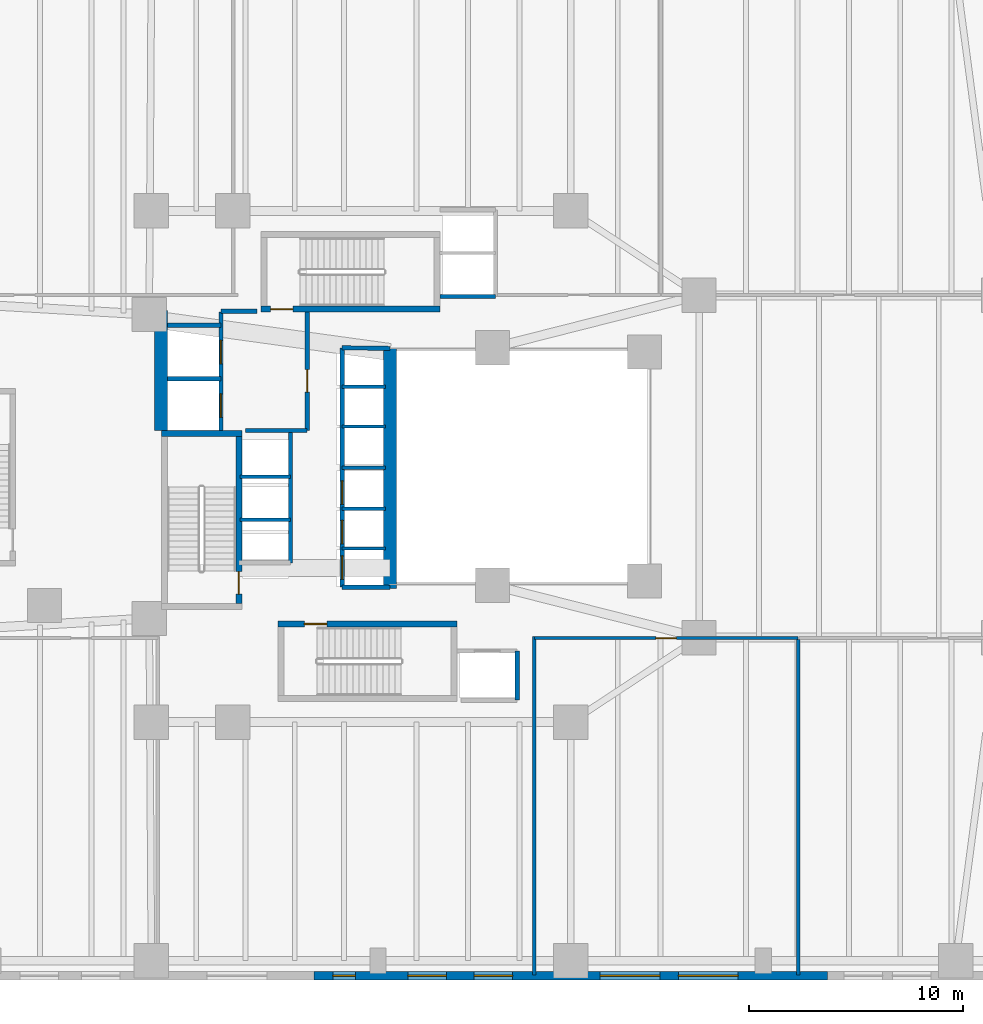
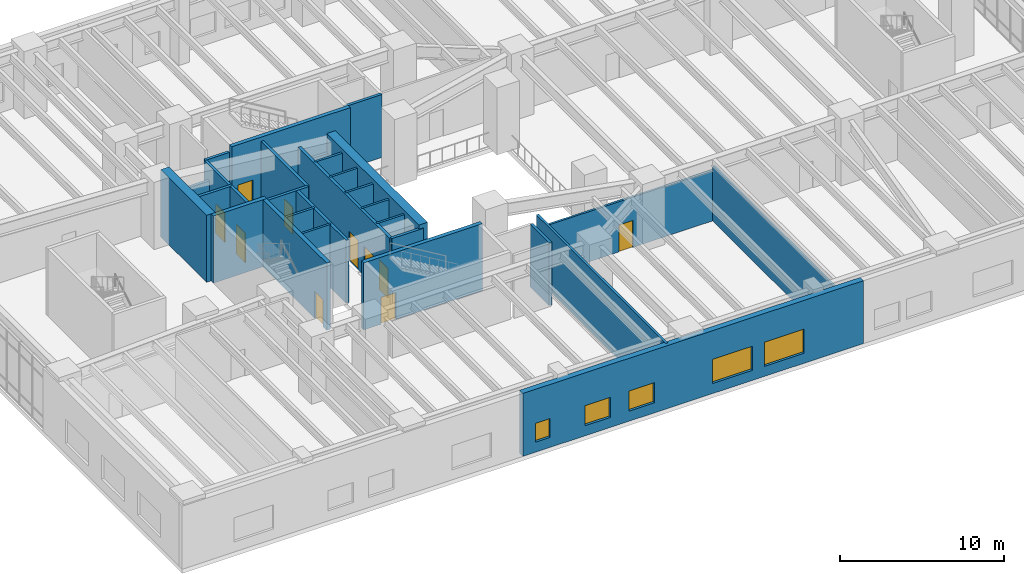
# One storey, part 13 of 18: 29 walls, 10 doors, 5 windows, 15 openings.
"""IFC4 building model written with IfcOpenShell, lengths in metres."""

from ifc_helpers import new_model, si_unit, direction, frame, frame_2d, origin, place, context, subcontext, project, spatial, rectangle, extrude, material, layer, layer_set, type_object, element, fill, save


model = new_model("IFC4")

# Units and contexts
model_context = context("Model", 3, precision=1e-05, world=origin(), true_north=direction((0.0, 1.0)))
body_context = subcontext(model_context, "Body", "Model", "MODEL_VIEW")
ifc_project = project(units=[si_unit("LENGTHUNIT", "METRE"), si_unit("AREAUNIT", "SQUARE_METRE"), si_unit("VOLUMEUNIT", "CUBIC_METRE"), si_unit("PLANEANGLEUNIT", "RADIAN"), si_unit("MASSUNIT", "GRAM", prefix="KILO"), si_unit("THERMODYNAMICTEMPERATUREUNIT", "KELVIN"), si_unit("POWERUNIT", "WATT")], contexts=[model_context])

# Site, building, storey
site_placement = place(None, origin())
site = spatial("IfcSite", under=ifc_project, at=site_placement, CompositionType="ELEMENT")
building_placement = place(site_placement, origin())
building = spatial("IfcBuilding", under=site, at=building_placement, Name="Skarre Station Tower", CompositionType="ELEMENT")
storey_placement = place(building_placement, frame((0.0, 0.0, 11.0)))
storey = spatial("IfcBuildingStorey", under=building, at=storey_placement, Name="L03", CompositionType="ELEMENT", Elevation=11.0)

# Wall, opening, door
ifc_material_1 = material(Name="Acoustic Steel-Stud Gypsum Partition", Category="steel")
ifc_layer_1 = layer(ifc_material_1, 0.14990234375, Name="Acoustic Steel-Stud Gypsum Partition")
ifc_layer_set_1 = layer_set([ifc_layer_1], Name="Acoustic Steel-Stud Gypsum Partition")
wall_type_1 = type_object("IfcWallType", Name="Fire-Rated Corridor Acoustic Partition 150", PredefinedType="PARTITIONING", material=ifc_layer_set_1)
wall_1_placement = place(storey_placement, frame((34.300048828125, 15.97998046875, 0.0), z_axis=(0.0, 0.0, 1.0), x_axis=(1.0, 0.0, 0.0)))
wall_1 = element("IfcWall", 1, at=wall_1_placement, inside=storey, type_object=wall_type_1, Name="L03 Interior Partition WL-PT-L03-PDSE1-CW", PredefinedType="PARTITIONING", context=body_context, shape_type="SweptSolid", body=[
    extrude(rectangle(XDim=12.31201171875, YDim=0.14990234375, at=frame_2d((6.156005859375, 0.0))), origin(), (0.0, 0.0, 1.0), 3.741943359375),
])
opening_1_placement = place(wall_1_placement, frame((5.676025390625, 0.0, 0.0)))
opening_1 = element("IfcOpeningElement", 2, at=opening_1_placement, cuts=wall_1, Name="Opening DR-FD60", PredefinedType="OPENING", context=body_context, shape_type="SweptSolid", body=[
    extrude(rectangle(XDim=0.9599609375, YDim=2.0, at=frame_2d((0.47998046875, 1.0))), frame((0.0, 0.0849609375, 0.0), z_axis=(0.0, -1.0, 0.0), x_axis=(1.0, 0.0, 0.0)), (0.0, 0.0, 1.0), 0.169921875),
])
ifc_material_2 = material(Name="Nordic White-Oak Veneer Solid-Core Fire Leaf", Category="wood")
door_type_1 = type_object("IfcDoorType", Name="Corridor Suite Entry Fire Door FD60 960x2150", OperationType="SINGLE_SWING_LEFT", PredefinedType="DOOR", material=ifc_material_2)
door_1_placement = place(opening_1_placement, origin())
door_1 = element("IfcDoor", 3, at=door_1_placement, inside=storey, type_object=door_type_1, Name="L03 PDSE1 Entry Door", OperationType="SINGLE_SWING_LEFT", OverallHeight=2.0, OverallWidth=0.9599609375, PredefinedType="DOOR", context=body_context, shape_type="SweptSolid", body=[
    extrude(rectangle(XDim=0.9599609375, YDim=2.0, at=frame_2d((0.47998046875, 1.0))), frame((0.0, 0.02490234375, 0.0), z_axis=(0.0, -1.0, 0.0), x_axis=(1.0, 0.0, 0.0)), (0.0, 0.0, 1.0), 0.050048828125),
])
fill(opening_1, door_1)

# Wall, openings, windows
ifc_material_3 = material(Name="Precast concrete C45/55", Category="concrete")
ifc_layer_2 = layer(ifc_material_3, 0.39990234375, Name="Precast concrete C45/55")
ifc_layer_set_2 = layer_set([ifc_layer_2], Name="Precast concrete C45/55")
wall_type_2 = type_object("IfcWallType", Name="Nordic Granite Station Podium Wall 400", PredefinedType="STANDARD", material=ifc_layer_set_2)
wall_2_placement = place(storey_placement, frame((48.0, 0.199951171875, 0.0), z_axis=(0.0, 0.0, 1.0), x_axis=(-1.0, 0.0, 0.0)))
wall_2 = element("IfcWall", 4, at=wall_2_placement, inside=storey, type_object=wall_type_2, Name="L03 South Podium Granite Wall SB", PredefinedType="STANDARD", context=body_context, shape_type="SweptSolid", body=[
    extrude(rectangle(XDim=24.0, YDim=0.39990234375, at=frame_2d((12.0, 0.0))), origin(), (0.0, 0.0, 1.0), 4.68994140625),
])
opening_2_placement = place(wall_2_placement, frame((4.169921875, 0.0, 0.75)))
opening_2 = element("IfcOpeningElement", 5, at=opening_2_placement, cuts=wall_2, Name="Opening WN-POD", PredefinedType="OPENING", context=body_context, shape_type="SweptSolid", body=[
    extrude(rectangle(XDim=2.800048828125, YDim=1.800048828125, at=frame_2d((1.39990234375, 0.89990234375))), frame((0.0, 0.2099609375, 0.0), z_axis=(0.0, -1.0, 0.0), x_axis=(1.0, 0.0, 0.0)), (0.0, 0.0, 1.0), 0.419921875),
])
opening_3_placement = place(wall_2_placement, frame((7.830078125, 0.0, 0.75)))
opening_3 = element("IfcOpeningElement", 6, at=opening_3_placement, cuts=wall_2, Name="Opening WN-POD", PredefinedType="OPENING", context=body_context, shape_type="SweptSolid", body=[
    extrude(rectangle(XDim=2.800048828125, YDim=1.800048828125, at=frame_2d((1.39990234375, 0.89990234375))), frame((0.0, 0.2099609375, 0.0), z_axis=(0.0, -1.0, 0.0), x_axis=(1.0, 0.0, 0.0)), (0.0, 0.0, 1.0), 0.419921875),
])
opening_4_placement = place(wall_2_placement, frame((14.7119140625, 0.0, 0.75)))
opening_4 = element("IfcOpeningElement", 7, at=opening_4_placement, cuts=wall_2, Name="Opening WN-Z1A", PredefinedType="OPENING", context=body_context, shape_type="SweptSolid", body=[
    extrude(rectangle(XDim=1.800048828125, YDim=1.5, at=frame_2d((0.89990234375, 0.75))), frame((0.0, 0.2099609375, 0.0), z_axis=(0.0, -1.0, 0.0), x_axis=(1.0, 0.0, 0.0)), (0.0, 0.0, 1.0), 0.419921875),
])
opening_5_placement = place(wall_2_placement, frame((17.81103515625, 0.0, 0.75)))
opening_5 = element("IfcOpeningElement", 8, at=opening_5_placement, cuts=wall_2, Name="Opening WN-Z1A", PredefinedType="OPENING", context=body_context, shape_type="SweptSolid", body=[
    extrude(rectangle(XDim=1.800048828125, YDim=1.5, at=frame_2d((0.89990234375, 0.75))), frame((0.0, 0.2099609375, 0.0), z_axis=(0.0, -1.0, 0.0), x_axis=(1.0, 0.0, 0.0)), (0.0, 0.0, 1.0), 0.419921875),
])
opening_6_placement = place(wall_2_placement, frame((22.070068359375, 0.0, 0.75)))
opening_6 = element("IfcOpeningElement", 9, at=opening_6_placement, cuts=wall_2, Name="Opening WN-SLT", PredefinedType="OPENING", context=body_context, shape_type="SweptSolid", body=[
    extrude(rectangle(XDim=1.050048828125, YDim=1.39990234375, at=frame_2d((0.52490234375, 0.699951171875))), frame((0.0, 0.2099609375, 0.0), z_axis=(0.0, -1.0, 0.0), x_axis=(1.0, 0.0, 0.0)), (0.0, 0.0, 1.0), 0.419921875),
])
ifc_material_4 = material(Name="Low-Iron Triple Glazing with Bronze Anodized Frame", Category="glass")
window_type_1 = type_object("IfcWindowType", Name="Nordic Corner Slot Window 1050x1400", PartitioningType="SINGLE_PANEL", PredefinedType="WINDOW", material=ifc_material_4)
window_1_placement = place(opening_6_placement, origin())
window_1 = element("IfcWindow", 10, at=window_1_placement, inside=storey, type_object=window_type_1, Name="L03 Facade Window WL-POD-L03-SB-5", OverallHeight=1.39990234375, OverallWidth=1.050048828125, PartitioningType="SINGLE_PANEL", PredefinedType="WINDOW", context=body_context, shape_type="SweptSolid", body=[
    extrude(rectangle(XDim=1.050048828125, YDim=1.39990234375, at=frame_2d((0.52490234375, 0.699951171875))), frame((0.0, 0.030029296875, 0.0), z_axis=(0.0, -1.0, 0.0), x_axis=(1.0, 0.0, 0.0)), (0.0, 0.0, 1.0), 0.06005859375),
])
fill(opening_6, window_1)
window_type_2 = type_object("IfcWindowType", Name="Nordic Punched Triple-Glazed Window 1800x1500", PartitioningType="SINGLE_PANEL", PredefinedType="WINDOW", material=ifc_material_4)
window_2_placement = place(opening_4_placement, origin())
window_2 = element("IfcWindow", 11, at=window_2_placement, inside=storey, type_object=window_type_2, Name="L03 Facade Window WL-POD-L03-SB-3", OverallHeight=1.5, OverallWidth=1.800048828125, PartitioningType="SINGLE_PANEL", PredefinedType="WINDOW", context=body_context, shape_type="SweptSolid", body=[
    extrude(rectangle(XDim=1.800048828125, YDim=1.5, at=frame_2d((0.89990234375, 0.75))), frame((0.0, 0.030029296875, 0.0), z_axis=(0.0, -1.0, 0.0), x_axis=(1.0, 0.0, 0.0)), (0.0, 0.0, 1.0), 0.06005859375),
])
fill(opening_4, window_2)
window_3_placement = place(opening_5_placement, origin())
window_3 = element("IfcWindow", 12, at=window_3_placement, inside=storey, type_object=window_type_2, Name="L03 Facade Window WL-POD-L03-SB-4", OverallHeight=1.5, OverallWidth=1.800048828125, PartitioningType="SINGLE_PANEL", PredefinedType="WINDOW", context=body_context, shape_type="SweptSolid", body=[
    extrude(rectangle(XDim=1.800048828125, YDim=1.5, at=frame_2d((0.89990234375, 0.75))), frame((0.0, 0.030029296875, 0.0), z_axis=(0.0, -1.0, 0.0), x_axis=(1.0, 0.0, 0.0)), (0.0, 0.0, 1.0), 0.06005859375),
])
fill(opening_5, window_3)
window_type_3 = type_object("IfcWindowType", Name="Podium Clerestory Ribbon Window 2800x1800", PartitioningType="SINGLE_PANEL", PredefinedType="WINDOW", material=ifc_material_4)
window_4_placement = place(opening_2_placement, origin())
window_4 = element("IfcWindow", 13, at=window_4_placement, inside=storey, type_object=window_type_3, Name="L03 Facade Window WL-POD-L03-SB-1", OverallHeight=1.800048828125, OverallWidth=2.800048828125, PartitioningType="SINGLE_PANEL", PredefinedType="WINDOW", context=body_context, shape_type="SweptSolid", body=[
    extrude(rectangle(XDim=2.800048828125, YDim=1.800048828125, at=frame_2d((1.39990234375, 0.89990234375))), frame((0.0, 0.030029296875, 0.0), z_axis=(0.0, -1.0, 0.0), x_axis=(1.0, 0.0, 0.0)), (0.0, 0.0, 1.0), 0.06005859375),
])
fill(opening_2, window_4)
window_5_placement = place(opening_3_placement, origin())
window_5 = element("IfcWindow", 14, at=window_5_placement, inside=storey, type_object=window_type_3, Name="L03 Facade Window WL-POD-L03-SB-2", OverallHeight=1.800048828125, OverallWidth=2.800048828125, PartitioningType="SINGLE_PANEL", PredefinedType="WINDOW", context=body_context, shape_type="SweptSolid", body=[
    extrude(rectangle(XDim=2.800048828125, YDim=1.800048828125, at=frame_2d((1.39990234375, 0.89990234375))), frame((0.0, 0.030029296875, 0.0), z_axis=(0.0, -1.0, 0.0), x_axis=(1.0, 0.0, 0.0)), (0.0, 0.0, 1.0), 0.06005859375),
])
fill(opening_3, window_5)

# Wall
ifc_material_5 = material(Name="Concrete C50/60", Category="concrete")
ifc_layer_3 = layer(ifc_material_5, 0.280029296875, Name="Concrete C50/60")
ifc_layer_set_3 = layer_set([ifc_layer_3], Name="Concrete C50/60")
wall_type_3 = type_object("IfcWallType", Name="RC Core Shear Wall 280", PredefinedType="SHEAR", material=ifc_layer_set_3)
wall_3_placement = place(storey_placement, frame((20.6298828125, 25.5400390625, 0.0), z_axis=(0.0, 0.0, 1.0), x_axis=(-1.0, 0.0, 0.0)))
element("IfcWall", 15, at=wall_3_placement, inside=storey, type_object=wall_type_3, Name="L03 Stair ST-1 North Shear Wall", PredefinedType="SHEAR", context=body_context, shape_type="SweptSolid", body=[
    extrude(rectangle(XDim=3.759765625, YDim=0.280029296875, at=frame_2d((1.8798828125, 0.0))), origin(), (0.0, 0.0, 1.0), 5.0),
])

# Wall, opening, door
wall_4_placement = place(storey_placement, frame((20.489990234375, 17.60009765625, 0.0), z_axis=(0.0, 0.0, 1.0), x_axis=(0.0, 1.0, 0.0)))
wall_4 = element("IfcWall", 16, at=wall_4_placement, inside=storey, type_object=wall_type_3, Name="L03 Stair ST-1 East Shear Wall", PredefinedType="SHEAR", context=body_context, shape_type="SweptSolid", body=[
    extrude(rectangle(XDim=7.7998046875, YDim=0.280029296875, at=frame_2d((3.89990234375, 0.0))), origin(), (0.0, 0.0, 1.0), 5.0),
])
opening_7_placement = place(wall_4_placement, frame((0.43994140625, 0.0, 0.0)))
opening_7 = element("IfcOpeningElement", 17, at=opening_7_placement, cuts=wall_4, Name="Opening DR-FD90", PredefinedType="OPENING", context=body_context, shape_type="SweptSolid", body=[
    extrude(rectangle(XDim=1.050048828125, YDim=2.0, at=frame_2d((0.52490234375, 1.0))), frame((0.0, 0.14990234375, 0.0), z_axis=(0.0, -1.0, 0.0), x_axis=(1.0, 0.0, 0.0)), (0.0, 0.0, 1.0), 0.300048828125),
])
ifc_material_6 = material(Name="Fire-Rated Insulated Steel Frame & Timber Core Leaf", Category="steel")
door_type_2 = type_object("IfcDoorType", Name="Stair & FSAE Lobby Fire Door FD90 1050x2150", OperationType="SINGLE_SWING_RIGHT", PredefinedType="DOOR", material=ifc_material_6)
door_2_placement = place(opening_7_placement, origin())
door_2 = element("IfcDoor", 18, at=door_2_placement, inside=storey, type_object=door_type_2, Name="L03 Stair ST-1 Exit Door", OperationType="SINGLE_SWING_RIGHT", OverallHeight=2.0, OverallWidth=1.050048828125, PredefinedType="DOOR", context=body_context, shape_type="SweptSolid", body=[
    extrude(rectangle(XDim=1.050048828125, YDim=2.0, at=frame_2d((0.52490234375, 1.0))), frame((0.0, 0.02490234375, 0.0), z_axis=(0.0, -1.0, 0.0), x_axis=(1.0, 0.0, 0.0)), (0.0, 0.0, 1.0), 0.050048828125),
])
fill(opening_7, door_2)

wall_5_placement = place(storey_placement, frame((30.679931640625, 16.639892578125, 0.0), z_axis=(0.0, 0.0, 1.0), x_axis=(-1.0, 0.0, 0.0)))
wall_5 = element("IfcWall", 19, at=wall_5_placement, inside=storey, type_object=wall_type_3, Name="L03 Stair ST-2 North Shear Wall", PredefinedType="SHEAR", context=body_context, shape_type="SweptSolid", body=[
    extrude(rectangle(XDim=8.35986328125, YDim=0.280029296875, at=frame_2d((4.179931640625, 0.0))), origin(), (0.0, 0.0, 1.0), 5.0),
])
opening_8_placement = place(wall_5_placement, frame((6.080078125, 0.0, 0.0)))
opening_8 = element("IfcOpeningElement", 20, at=opening_8_placement, cuts=wall_5, Name="Opening DR-FD90", PredefinedType="OPENING", context=body_context, shape_type="SweptSolid", body=[
    extrude(rectangle(XDim=1.050048828125, YDim=2.0, at=frame_2d((0.52490234375, 1.0))), frame((0.0, 0.14990234375, 0.0), z_axis=(0.0, -1.0, 0.0), x_axis=(1.0, 0.0, 0.0)), (0.0, 0.0, 1.0), 0.300048828125),
])
door_3_placement = place(opening_8_placement, origin())
door_3 = element("IfcDoor", 21, at=door_3_placement, inside=storey, type_object=door_type_2, Name="L03 Stair ST-2 Exit Door", OperationType="SINGLE_SWING_RIGHT", OverallHeight=2.0, OverallWidth=1.050048828125, PredefinedType="DOOR", context=body_context, shape_type="SweptSolid", body=[
    extrude(rectangle(XDim=1.050048828125, YDim=2.0, at=frame_2d((0.52490234375, 1.0))), frame((0.0, 0.02490234375, 0.0), z_axis=(0.0, -1.0, 0.0), x_axis=(1.0, 0.0, 0.0)), (0.0, 0.0, 1.0), 0.050048828125),
])
fill(opening_8, door_3)

wall_6_placement = place(storey_placement, frame((21.52001953125, 31.360107421875, 0.0), z_axis=(0.0, 0.0, 1.0), x_axis=(1.0, 0.0, 0.0)))
wall_6 = element("IfcWall", 22, at=wall_6_placement, inside=storey, type_object=wall_type_3, Name="L03 Stair ST-3 South Shear Wall", PredefinedType="SHEAR", context=body_context, shape_type="SweptSolid", body=[
    extrude(rectangle(XDim=8.35986328125, YDim=0.280029296875, at=frame_2d((4.179931640625, 0.0))), origin(), (0.0, 0.0, 1.0), 5.0),
])
opening_9_placement = place(wall_6_placement, frame((0.449951171875, 0.0, 0.0)))
opening_9 = element("IfcOpeningElement", 23, at=opening_9_placement, cuts=wall_6, Name="Opening DR-FD90", PredefinedType="OPENING", context=body_context, shape_type="SweptSolid", body=[
    extrude(rectangle(XDim=1.050048828125, YDim=2.0, at=frame_2d((0.52490234375, 1.0))), frame((0.0, 0.14990234375, 0.0), z_axis=(0.0, -1.0, 0.0), x_axis=(1.0, 0.0, 0.0)), (0.0, 0.0, 1.0), 0.300048828125),
])
door_4_placement = place(opening_9_placement, origin())
door_4 = element("IfcDoor", 24, at=door_4_placement, inside=storey, type_object=door_type_2, Name="L03 Stair ST-3 & FSAE Lobby Direct Exit Door", OperationType="SINGLE_SWING_LEFT", OverallHeight=2.0, OverallWidth=1.050048828125, PredefinedType="DOOR", context=body_context, shape_type="SweptSolid", body=[
    extrude(rectangle(XDim=1.050048828125, YDim=2.0, at=frame_2d((0.52490234375, 1.0))), frame((0.0, 0.02490234375, 0.0), z_axis=(0.0, -1.0, 0.0), x_axis=(1.0, 0.0, 0.0)), (0.0, 0.0, 1.0), 0.050048828125),
])
fill(opening_9, door_4)

# Walls
ifc_material_7 = material(Name="Concrete C70/85", Category="concrete")
ifc_layer_4 = layer(ifc_material_7, 0.60009765625, Name="Concrete C70/85")
ifc_layer_set_4 = layer_set([ifc_layer_4], Name="Concrete C70/85")
wall_type_4 = type_object("IfcWallType", Name="RC Core Shear Wall 600", PredefinedType="SHEAR", material=ifc_layer_set_4)
wall_7_placement = place(storey_placement, frame((16.85009765625, 25.679931640625, 0.0), z_axis=(0.0, 0.0, 1.0), x_axis=(0.0, 1.0, 0.0)))
element("IfcWall", 25, at=wall_7_placement, inside=storey, type_object=wall_type_4, Name="L03 Core West-North Shear Wall", PredefinedType="SHEAR", context=body_context, shape_type="SweptSolid", body=[
    extrude(rectangle(XDim=5.6201171875, YDim=0.60009765625, at=frame_2d((2.81005859375, 0.0))), origin(), (0.0, 0.0, 1.0), 5.0),
])
wall_8_placement = place(storey_placement, frame((27.550048828125, 29.550048828125, 0.0), z_axis=(0.0, 0.0, 1.0), x_axis=(0.0, -1.0, 0.0)))
element("IfcWall", 26, at=wall_8_placement, inside=storey, type_object=wall_type_4, Name="L03 Core East Atrium Shear Wall", PredefinedType="SHEAR", context=body_context, shape_type="SweptSolid", body=[
    extrude(rectangle(XDim=11.25, YDim=0.60009765625, at=frame_2d((5.625, 0.0))), origin(), (0.0, 0.0, 1.0), 5.0),
])

# Wall, openings, doors
ifc_material_8 = material(Name="Gypsum Concrete Shaft Assembly C30/37", Category="concrete")
ifc_layer_5 = layer(ifc_material_8, 0.199951171875, Name="Gypsum Concrete Shaft Assembly C30/37")
ifc_layer_set_5 = layer_set([ifc_layer_5], Name="Gypsum Concrete Shaft Assembly C30/37")
wall_type_5 = type_object("IfcWallType", Name="Shaft & Core Fire Partition 200", PredefinedType="PARTITIONING", material=ifc_layer_set_5)
wall_9_placement = place(storey_placement, frame((19.64990234375, 25.679931640625, 0.0), z_axis=(0.0, 0.0, 1.0), x_axis=(0.0, 1.0, 0.0)))
wall_9 = element("IfcWall", 27, at=wall_9_placement, inside=storey, type_object=wall_type_5, Name="L03 Interior Partition WL-PT-L03-FSAE-W", PredefinedType="PARTITIONING", context=body_context, shape_type="SweptSolid", body=[
    extrude(rectangle(XDim=5.5400390625, YDim=0.199951171875, at=frame_2d((2.77001953125, 0.0))), origin(), (0.0, 0.0, 1.0), 4.68994140625),
])
opening_10_placement = place(wall_9_placement, frame((0.6201171875, 0.0, 0.0)))
opening_10 = element("IfcOpeningElement", 28, at=opening_10_placement, cuts=wall_9, Name="Opening LD-FF1", PredefinedType="OPENING", context=body_context, shape_type="SweptSolid", body=[
    extrude(rectangle(XDim=1.10009765625, YDim=2.199951171875, at=frame_2d((0.550048828125, 1.10009765625))), frame((0.0, 0.10986328125, 0.0), z_axis=(0.0, -1.0, 0.0), x_axis=(1.0, 0.0, 0.0)), (0.0, 0.0, 1.0), 0.219970703125),
])
opening_11_placement = place(wall_9_placement, frame((3.1201171875, 0.0, 0.0)))
opening_11 = element("IfcOpeningElement", 29, at=opening_11_placement, cuts=wall_9, Name="Opening LD-FF2", PredefinedType="OPENING", context=body_context, shape_type="SweptSolid", body=[
    extrude(rectangle(XDim=1.10009765625, YDim=2.199951171875, at=frame_2d((0.550048828125, 1.10009765625))), frame((0.0, 0.10986328125, 0.0), z_axis=(0.0, -1.0, 0.0), x_axis=(1.0, 0.0, 0.0)), (0.0, 0.0, 1.0), 0.219970703125),
])
ifc_material_9 = material(Name="Fire-Rated Stainless Steel Grade 316L Sliding Leaves", Category="steel")
door_type_3 = type_object("IfcDoorType", Name="Fire Service Access Elevator Sliding Landing Door 1100x2200", OperationType="SLIDING_TO_LEFT", PredefinedType="DOOR", material=ifc_material_9)
door_5_placement = place(opening_10_placement, origin())
door_5 = element("IfcDoor", 30, at=door_5_placement, inside=storey, type_object=door_type_3, Name="L03 Firefighting Lift LF-FF1 Landing Door", OperationType="SLIDING_TO_LEFT", OverallHeight=2.199951171875, OverallWidth=1.10009765625, PredefinedType="DOOR", context=body_context, shape_type="SweptSolid", body=[
    extrude(rectangle(XDim=1.10009765625, YDim=2.199951171875, at=frame_2d((0.550048828125, 1.10009765625))), frame((0.0, 0.02490234375, 0.0), z_axis=(0.0, -1.0, 0.0), x_axis=(1.0, 0.0, 0.0)), (0.0, 0.0, 1.0), 0.050048828125),
])
fill(opening_10, door_5)
door_6_placement = place(opening_11_placement, origin())
door_6 = element("IfcDoor", 31, at=door_6_placement, inside=storey, type_object=door_type_3, Name="L03 Firefighting Lift LF-FF2 Landing Door", OperationType="SLIDING_TO_LEFT", OverallHeight=2.199951171875, OverallWidth=1.10009765625, PredefinedType="DOOR", context=body_context, shape_type="SweptSolid", body=[
    extrude(rectangle(XDim=1.10009765625, YDim=2.199951171875, at=frame_2d((0.550048828125, 1.10009765625))), frame((0.0, 0.02490234375, 0.0), z_axis=(0.0, -1.0, 0.0), x_axis=(1.0, 0.0, 0.0)), (0.0, 0.0, 1.0), 0.050048828125),
])
fill(opening_11, door_6)

# Wall
wall_10_placement = place(storey_placement, frame((20.79296875, 25.679931640625, 0.0), z_axis=(0.0, 0.0, 1.0), x_axis=(1.0, 0.0, 0.0)))
element("IfcWall", 32, at=wall_10_placement, inside=storey, type_object=wall_type_5, Name="L03 Interior Partition WL-PT-L03-FSAE-S", PredefinedType="PARTITIONING", context=body_context, shape_type="SweptSolid", body=[
    extrude(rectangle(XDim=2.886962890625, YDim=0.199951171875, at=frame_2d((1.443359375, 0.0))), origin(), (0.0, 0.0, 1.0), 4.68994140625),
])

# Wall, opening, door
wall_11_placement = place(storey_placement, frame((23.679931640625, 25.679931640625, 0.0), z_axis=(0.0, 0.0, 1.0), x_axis=(0.0, 1.0, 0.0)))
wall_11 = element("IfcWall", 33, at=wall_11_placement, inside=storey, type_object=wall_type_5, Name="L03 Interior Partition WL-PT-L03-FSAE-E", PredefinedType="PARTITIONING", context=body_context, shape_type="SweptSolid", body=[
    extrude(rectangle(XDim=5.5400390625, YDim=0.199951171875, at=frame_2d((2.77001953125, 0.0))), origin(), (0.0, 0.0, 1.0), 4.68994140625),
])
opening_12_placement = place(wall_11_placement, frame((1.800048828125, 0.0, 0.0)))
opening_12 = element("IfcOpeningElement", 34, at=opening_12_placement, cuts=wall_11, Name="Opening DR-FD90", PredefinedType="OPENING", context=body_context, shape_type="SweptSolid", body=[
    extrude(rectangle(XDim=1.050048828125, YDim=2.0, at=frame_2d((0.52490234375, 1.0))), frame((0.0, 0.10986328125, 0.0), z_axis=(0.0, -1.0, 0.0), x_axis=(1.0, 0.0, 0.0)), (0.0, 0.0, 1.0), 0.219970703125),
])
door_7_placement = place(opening_12_placement, origin())
door_7 = element("IfcDoor", 35, at=door_7_placement, inside=storey, type_object=door_type_2, Name="L03 FSAE Lobby Fire Door", OperationType="SINGLE_SWING_RIGHT", OverallHeight=2.0, OverallWidth=1.050048828125, PredefinedType="DOOR", context=body_context, shape_type="SweptSolid", body=[
    extrude(rectangle(XDim=1.050048828125, YDim=2.0, at=frame_2d((0.52490234375, 1.0))), frame((0.0, 0.02490234375, 0.0), z_axis=(0.0, -1.0, 0.0), x_axis=(1.0, 0.0, 0.0)), (0.0, 0.0, 1.0), 0.050048828125),
])
fill(opening_12, door_7)

# Walls
wall_12_placement = place(storey_placement, frame((21.330078125, 31.260009765625, 0.0), z_axis=(0.0, 0.0, 1.0), x_axis=(-1.0, 0.0, 0.0)))
element("IfcWall", 36, at=wall_12_placement, inside=storey, type_object=wall_type_5, Name="L03 Interior Partition WL-PT-L03-FSAE-N", PredefinedType="PARTITIONING", context=body_context, shape_type="SweptSolid", body=[
    extrude(rectangle(XDim=1.68017578125, YDim=0.199951171875, at=frame_2d((0.840087890625, 0.0))), origin(), (0.0, 0.0, 1.0), 4.68994140625),
])
wall_13_placement = place(storey_placement, frame((17.14990234375, 28.10009765625, 0.0), z_axis=(0.0, 0.0, 1.0), x_axis=(1.0, 0.0, 0.0)))
element("IfcWall", 37, at=wall_13_placement, inside=storey, type_object=wall_type_5, Name="L03 Interior Partition WL-PT-L03-FF-DIV", PredefinedType="PARTITIONING", context=body_context, shape_type="SweptSolid", body=[
    extrude(rectangle(XDim=2.5, YDim=0.199951171875, at=frame_2d((1.25, 0.0))), origin(), (0.0, 0.0, 1.0), 4.68994140625),
])
wall_14_placement = place(storey_placement, frame((19.64990234375, 30.60009765625, 0.0), z_axis=(0.0, 0.0, 1.0), x_axis=(-1.0, 0.0, 0.0)))
element("IfcWall", 38, at=wall_14_placement, inside=storey, type_object=wall_type_5, Name="L03 Interior Partition WL-PT-L03-FF-N", PredefinedType="PARTITIONING", context=body_context, shape_type="SweptSolid", body=[
    extrude(rectangle(XDim=2.5, YDim=0.199951171875, at=frame_2d((1.25, 0.0))), origin(), (0.0, 0.0, 1.0), 3.590087890625),
])
wall_15_placement = place(storey_placement, frame((33.5, 13.080078125, 0.0), z_axis=(0.0, 0.0, 1.0), x_axis=(0.0, 1.0, 0.0)))
element("IfcWall", 39, at=wall_15_placement, inside=storey, type_object=wall_type_5, Name="L03 Interior Partition WL-PT-L03-SV1-E", PredefinedType="PARTITIONING", context=body_context, shape_type="SweptSolid", body=[
    extrude(rectangle(XDim=2.2998046875, YDim=0.199951171875, at=frame_2d((1.14990234375, 0.0))), origin(), (0.0, 0.0, 1.0), 4.68994140625),
])
wall_16_placement = place(storey_placement, frame((32.47998046875, 31.949951171875, 0.0), z_axis=(0.0, 0.0, 1.0), x_axis=(-1.0, 0.0, 0.0)))
element("IfcWall", 40, at=wall_16_placement, inside=storey, type_object=wall_type_5, Name="L03 Interior Partition WL-PT-L03-EX-S", PredefinedType="PARTITIONING", context=body_context, shape_type="SweptSolid", body=[
    extrude(rectangle(XDim=2.60009765625, YDim=0.199951171875, at=frame_2d((1.300048828125, 0.0))), origin(), (0.0, 0.0, 1.0), 4.68994140625),
])
wall_17_placement = place(storey_placement, frame((22.89990234375, 19.5, 0.0), z_axis=(0.0, 0.0, 1.0), x_axis=(0.0, 1.0, 0.0)))
element("IfcWall", 41, at=wall_17_placement, inside=storey, type_object=wall_type_5, Name="L03 Interior Partition WL-PT-L03-B3-E", PredefinedType="PARTITIONING", context=body_context, shape_type="SweptSolid", body=[
    extrude(rectangle(XDim=6.0849609375, YDim=0.199951171875, at=frame_2d((3.04248046875, 0.0))), origin(), (0.0, 0.0, 1.0), 4.68994140625),
])
for number, where, z_axis, x_axis, name in (
    (42, (20.550048828125, 21.52001953125, 0.0), (0.0, 0.0, 1.0), (1.0, 0.0, 0.0), "L03 Interior Partition WL-PT-L03-B3-D1"),
    (43, (20.550048828125, 23.52001953125, 0.0), (0.0, 0.0, 1.0), (1.0, 0.0, 0.0), "L03 Interior Partition WL-PT-L03-B3-D2"),
):
    element("IfcWall", number, at=place(storey_placement, frame(where, z_axis=z_axis, x_axis=x_axis)), inside=storey, type_object=wall_type_5, Name=name, PredefinedType="PARTITIONING", context=body_context, shape_type="SweptSolid", body=[
        extrude(rectangle(XDim=2.349853515625, YDim=0.159912109375, at=frame_2d((1.1748046875, 0.0))), origin(), (0.0, 0.0, 1.0), 4.68994140625),
    ])

# Wall, openings, doors
wall_18_placement = place(storey_placement, frame((25.320068359375, 29.550048828125, 0.0), z_axis=(0.0, 0.0, 1.0), x_axis=(0.0, -1.0, 0.0)))
wall_18 = element("IfcWall", 44, at=wall_18_placement, inside=storey, type_object=wall_type_5, Name="L03 Interior Partition WL-PT-L03-B12-W", PredefinedType="PARTITIONING", context=body_context, shape_type="SweptSolid", body=[
    extrude(rectangle(XDim=11.18994140625, YDim=0.199951171875, at=frame_2d((5.594970703125, 0.0))), origin(), (0.0, 0.0, 1.0), 4.68994140625),
])
opening_13_placement = place(wall_18_placement, frame((6.219970703125, 0.0, 0.0)))
opening_13 = element("IfcOpeningElement", 45, at=opening_13_placement, cuts=wall_18, Name="Opening LD-P3", PredefinedType="OPENING", context=body_context, shape_type="SweptSolid", body=[
    extrude(rectangle(XDim=1.10009765625, YDim=2.199951171875, at=frame_2d((0.550048828125, 1.10009765625))), frame((0.0, 0.10986328125, 0.0), z_axis=(0.0, -1.0, 0.0), x_axis=(1.0, 0.0, 0.0)), (0.0, 0.0, 1.0), 0.219970703125),
])
opening_14_placement = place(wall_18_placement, frame((8.070068359375, 0.0, 0.0)))
opening_14 = element("IfcOpeningElement", 46, at=opening_14_placement, cuts=wall_18, Name="Opening LD-P2", PredefinedType="OPENING", context=body_context, shape_type="SweptSolid", body=[
    extrude(rectangle(XDim=1.10009765625, YDim=2.199951171875, at=frame_2d((0.550048828125, 1.10009765625))), frame((0.0, 0.10986328125, 0.0), z_axis=(0.0, -1.0, 0.0), x_axis=(1.0, 0.0, 0.0)), (0.0, 0.0, 1.0), 0.219970703125),
])
opening_15_placement = place(wall_18_placement, frame((9.72998046875, 0.0, 0.0)))
opening_15 = element("IfcOpeningElement", 47, at=opening_15_placement, cuts=wall_18, Name="Opening LD-P1", PredefinedType="OPENING", context=body_context, shape_type="SweptSolid", body=[
    extrude(rectangle(XDim=1.10009765625, YDim=2.199951171875, at=frame_2d((0.550048828125, 1.10009765625))), frame((0.0, 0.10986328125, 0.0), z_axis=(0.0, -1.0, 0.0), x_axis=(1.0, 0.0, 0.0)), (0.0, 0.0, 1.0), 0.219970703125),
])
ifc_material_10 = material(Name="Brushed Bronze Stainless Steel Sliding Leaves", Category="steel")
door_type_4 = type_object("IfcDoorType", Name="Passenger Elevator Center-Parting Sliding Door 1100x2200", OperationType="SLIDING_TO_LEFT", PredefinedType="DOOR", material=ifc_material_10)
door_8_placement = place(opening_13_placement, origin())
door_8 = element("IfcDoor", 48, at=door_8_placement, inside=storey, type_object=door_type_4, Name="L03 Passenger Lift LF-P3 Landing Door", OperationType="SLIDING_TO_LEFT", OverallHeight=2.199951171875, OverallWidth=1.10009765625, PredefinedType="DOOR", context=body_context, shape_type="SweptSolid", body=[
    extrude(rectangle(XDim=1.10009765625, YDim=2.199951171875, at=frame_2d((0.550048828125, 1.10009765625))), frame((0.0, 0.02490234375, 0.0), z_axis=(0.0, -1.0, 0.0), x_axis=(1.0, 0.0, 0.0)), (0.0, 0.0, 1.0), 0.050048828125),
])
fill(opening_13, door_8)
door_9_placement = place(opening_14_placement, origin())
door_9 = element("IfcDoor", 49, at=door_9_placement, inside=storey, type_object=door_type_4, Name="L03 Passenger Lift LF-P2 Landing Door", OperationType="SLIDING_TO_LEFT", OverallHeight=2.199951171875, OverallWidth=1.10009765625, PredefinedType="DOOR", context=body_context, shape_type="SweptSolid", body=[
    extrude(rectangle(XDim=1.10009765625, YDim=2.199951171875, at=frame_2d((0.550048828125, 1.10009765625))), frame((0.0, 0.02490234375, 0.0), z_axis=(0.0, -1.0, 0.0), x_axis=(1.0, 0.0, 0.0)), (0.0, 0.0, 1.0), 0.050048828125),
])
fill(opening_14, door_9)
door_10_placement = place(opening_15_placement, origin())
door_10 = element("IfcDoor", 50, at=door_10_placement, inside=storey, type_object=door_type_4, Name="L03 Passenger Lift LF-P1 Landing Door", OperationType="SLIDING_TO_LEFT", OverallHeight=2.199951171875, OverallWidth=1.10009765625, PredefinedType="DOOR", context=body_context, shape_type="SweptSolid", body=[
    extrude(rectangle(XDim=1.10009765625, YDim=2.199951171875, at=frame_2d((0.550048828125, 1.10009765625))), frame((0.0, 0.02490234375, 0.0), z_axis=(0.0, -1.0, 0.0), x_axis=(1.0, 0.0, 0.0)), (0.0, 0.0, 1.0), 0.050048828125),
])
fill(opening_15, door_10)

# Walls
wall_19_placement = place(storey_placement, frame((25.320068359375, 18.360107421875, 0.0), z_axis=(0.0, 0.0, 1.0), x_axis=(0.999989925833, -0.004488678231, 0.0)))
element("IfcWall", 51, at=wall_19_placement, inside=storey, type_object=wall_type_5, Name="L03 Interior Partition WL-PT-L03-B12-S", PredefinedType="PARTITIONING", context=body_context, shape_type="SweptSolid", body=[
    extrude(rectangle(XDim=2.22998046875, YDim=0.199951171875, at=frame_2d((1.114990234375, 0.0))), origin(), (0.0, 0.0, 1.0), 4.68994140625),
])
wall_20_placement = place(storey_placement, frame((27.550048828125, 29.52001953125, 0.0), z_axis=(0.0, 0.0, 1.0), x_axis=(-0.999909343457, 0.013464949556, 0.0)))
element("IfcWall", 52, at=wall_20_placement, inside=storey, type_object=wall_type_5, Name="L03 Interior Partition WL-PT-L03-B12-N", PredefinedType="PARTITIONING", context=body_context, shape_type="SweptSolid", body=[
    extrude(rectangle(XDim=2.230224609375, YDim=0.199951171875, at=frame_2d((1.115234375, 0.0))), origin(), (0.0, 0.0, 1.0), 3.590087890625),
])
for number, where, z_axis, x_axis, name in (
    (53, (25.320068359375, 20.169921875, 0.0), (0.0, 0.0, 1.0), (1.0, 0.0, 0.0), "L03 Interior Partition WL-PT-L03-B12-D201"),
    (54, (25.320068359375, 22.02001953125, 0.0), (0.0, 0.0, 1.0), (1.0, 0.0, 0.0), "L03 Interior Partition WL-PT-L03-B12-D220"),
    (55, (25.320068359375, 23.949951171875, 0.0), (0.0, 0.0, 1.0), (1.0, 0.0, 0.0), "L03 Interior Partition WL-PT-L03-B12-D239"),
    (56, (25.320068359375, 25.8701171875, 0.0), (0.0, 0.0, 1.0), (1.0, 0.0, 0.0), "L03 Interior Partition WL-PT-L03-B12-D258"),
    (57, (25.320068359375, 27.719970703125, 0.0), (0.0, 0.0, 1.0), (1.0, 0.0, 0.0), "L03 Interior Partition WL-PT-L03-B12-D277"),
):
    element("IfcWall", number, at=place(storey_placement, frame(where, z_axis=z_axis, x_axis=x_axis)), inside=storey, type_object=wall_type_5, Name=name, PredefinedType="PARTITIONING", context=body_context, shape_type="SweptSolid", body=[
        extrude(rectangle(XDim=2.030029296875, YDim=0.159912109375, at=frame_2d((1.01513671875, 0.0))), origin(), (0.0, 0.0, 1.0), 4.68994140625),
    ])
ifc_layer_6 = layer(ifc_material_1, 0.1650390625, Name="Acoustic Steel-Stud Gypsum Partition")
ifc_layer_set_6 = layer_set([ifc_layer_6], Name="Acoustic Steel-Stud Gypsum Partition")
wall_type_6 = type_object("IfcWallType", Name="Suite Demising Acoustic Partition 165", PredefinedType="PARTITIONING", material=ifc_layer_set_6)
wall_21_placement = place(storey_placement, frame((34.300048828125, 0.239990234375, 0.0), z_axis=(0.0, 0.0, 1.0), x_axis=(0.0, 1.0, 0.0)))
element("IfcWall", 58, at=wall_21_placement, inside=storey, type_object=wall_type_6, Name="L03 Interior Partition WL-PT-L03-PDSE-W", PredefinedType="PARTITIONING", context=body_context, shape_type="SweptSolid", body=[
    extrude(rectangle(XDim=15.81005859375, YDim=0.1650390625, at=frame_2d((7.905029296875, 0.0))), origin(), (0.0, 0.0, 1.0), 4.68994140625),
])
wall_22_placement = place(storey_placement, frame((46.637939453125, 0.22998046875, 0.0), z_axis=(0.0, 0.0, 1.0), x_axis=(0.0, 1.0, 0.0)))
element("IfcWall", 59, at=wall_22_placement, inside=storey, type_object=wall_type_6, Name="L03 Interior Partition WL-PT-L03-PDSE-P1", PredefinedType="PARTITIONING", context=body_context, shape_type="SweptSolid", body=[
    extrude(rectangle(XDim=15.679931640625, YDim=0.1650390625, at=frame_2d((7.83984375, 0.0))), origin(), (0.0, 0.0, 1.0), 4.08203125),
])

save(model, "model.ifc")
